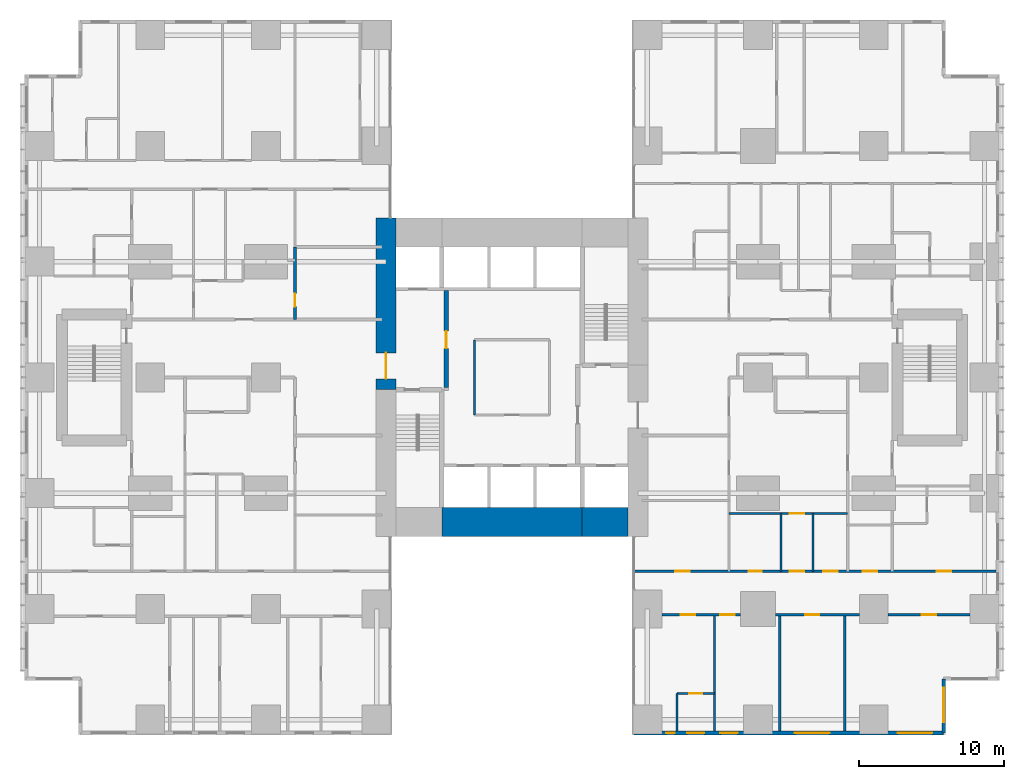
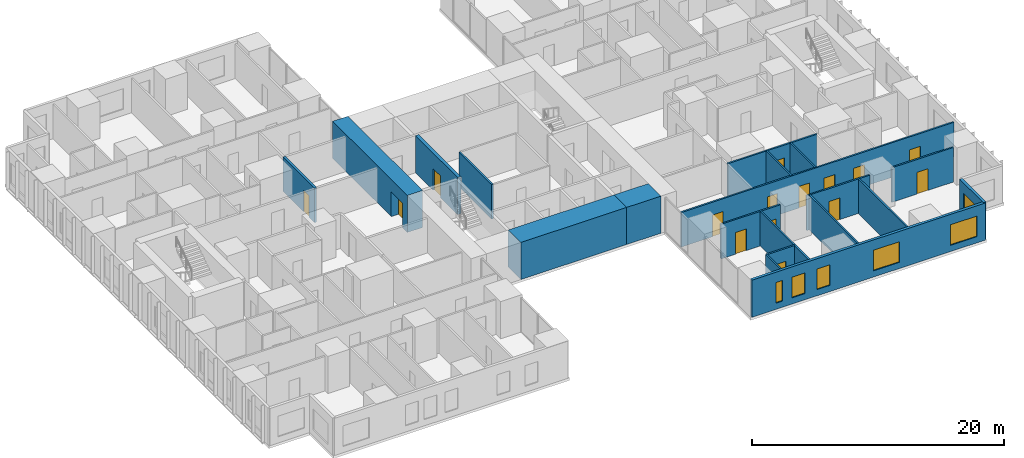
# One storey, part 14 of 20: 20 walls, 15 doors, 6 windows, 21 openings.
"""IFC4 building model written with IfcOpenShell, lengths in metres."""

import ifcopenshell
import ifcopenshell.guid

model = None  # the IFC model being written
_history = None  # IfcOwnerHistory: only IFC2X3 demands one
_inside = {}  # id of a spatial element -> (the spatial element, [elements in it])
_under = {}  # id of a project, library or spatial element -> (it, [spatial elements below it])
_declared = {}  # id of a project -> (the project, [libraries it declares])
_typed = {}  # id of a type object -> (the type object, [elements of that type])
_made_of = {}  # id of a material, layer set ... -> (it, [elements and type objects made of it])


def new_model(schema):
    """Start an empty IFC model of exactly this schema.

    Asked for "IFC4X3", IfcOpenShell would pick the latest addendum, in which some entities
    have other attributes; the version numbers below select the first issue.
    IFC2X3 requires an IfcOwnerHistory on every rooted entity: one is made here for all.
    """
    global model, _history
    if schema == "IFC4X3":
        model = ifcopenshell.file(schema_version=(4, 3, 0, 0))
    else:
        model = ifcopenshell.file(schema=schema)
    _inside.clear()
    _under.clear()
    _declared.clear()
    _typed.clear()
    _made_of.clear()
    _history = None
    if model.schema == "IFC2X3":
        org = make("IfcOrganization", Name="unknown")
        user = make(
            "IfcPersonAndOrganization",
            ThePerson=make("IfcPerson", FamilyName="unknown"),
            TheOrganization=org,
        )
        app = make(
            "IfcApplication",
            ApplicationDeveloper=org,
            Version="unknown",
            ApplicationFullName="unknown",
            ApplicationIdentifier="unknown",
        )
        _history = make(
            "IfcOwnerHistory",
            OwningUser=user,
            OwningApplication=app,
            ChangeAction="ADDED",
            CreationDate=0,
        )
    return model


def make(cls, **values):
    """One entity of the class cls with the attributes given. An attribute that is None is left unset."""
    return model.create_entity(
        cls, **{name: value for name, value in values.items() if value is not None}
    )


def rooted(cls, **values):
    """An entity with a GlobalId (a new one), such as an element, a storey or a relation."""
    return make(cls, GlobalId=ifcopenshell.guid.new(), OwnerHistory=_history, **values)


def si_unit(unit_type, name, prefix=None):
    """IfcSIUnit, for example si_unit("LENGTHUNIT", "METRE", prefix="MILLI")."""
    return make("IfcSIUnit", UnitType=unit_type, Prefix=prefix, Name=name)


def assignment(units):
    """IfcUnitAssignment: the units of a project."""
    return None if units is None else make("IfcUnitAssignment", Units=units)


def point(xyz):
    """IfcCartesianPoint."""
    return None if xyz is None else make("IfcCartesianPoint", Coordinates=xyz)


def direction(xyz):
    """IfcDirection."""
    return None if xyz is None else make("IfcDirection", DirectionRatios=xyz)


def frame(location, z_axis=None, x_axis=None):
    """IfcAxis2Placement3D, a coordinate frame: its origin and axes. An axis left out is left unset."""
    return make(
        "IfcAxis2Placement3D",
        Location=point(location),
        Axis=direction(z_axis),
        RefDirection=direction(x_axis),
    )


def frame_2d(location, x_axis=None):
    """IfcAxis2Placement2D, a coordinate frame in the plane: its origin and x axis."""
    return make(
        "IfcAxis2Placement2D", Location=point(location), RefDirection=direction(x_axis)
    )


def origin():
    """The frame at (0, 0, 0) with its axes left unset."""
    return frame((0.0, 0.0, 0.0))


def place(relative_to, where):
    """IfcLocalPlacement: puts the frame where relative to a parent placement (None: the world)."""
    return make(
        "IfcLocalPlacement", PlacementRelTo=relative_to, RelativePlacement=where
    )


def context(
    kind, dimensions, precision=None, world=None, true_north=None, identifier=None
):
    """IfcGeometricRepresentationContext, for example the 3D "Model" context."""
    return make(
        "IfcGeometricRepresentationContext",
        ContextIdentifier=identifier,
        ContextType=kind,
        CoordinateSpaceDimension=dimensions,
        Precision=precision,
        WorldCoordinateSystem=world,
        TrueNorth=true_north,
    )


def subcontext(parent, identifier, kind, view, scale=None):
    """IfcGeometricRepresentationSubContext, for example "Body" below "Model"."""
    return make(
        "IfcGeometricRepresentationSubContext",
        ContextIdentifier=identifier,
        ContextType=kind,
        ParentContext=parent,
        TargetScale=scale,
        TargetView=view,
    )


def project(units=None, contexts=None):
    """IfcProject with its units and contexts."""
    return rooted(
        "IfcProject",
        Name="project",
        RepresentationContexts=contexts,
        UnitsInContext=assignment(units),
    )


def spatial(cls, under=None, at=None, **own):
    """A site, building, storey or space (cls), placed at a placement, below another one or the project."""
    s = rooted(cls, ObjectPlacement=at, **own)
    if under is not None:
        _under.setdefault(under.id(), (under, []))[1].append(s)
    return s


def profile(cls, at=None, kind="AREA", **sizes):
    """A parametric profile (cls). Its sizes go by their IFC names, for example OverallWidth=200.0."""
    return make(cls, ProfileType=kind, Position=at, **sizes)


def rectangle(**sizes):
    """IfcRectangleProfileDef."""
    return profile("IfcRectangleProfileDef", **sizes)


def extrude(swept, where, along, depth):
    """IfcExtrudedAreaSolid: the profile swept, set in the frame where, extruded along a direction by depth."""
    return make(
        "IfcExtrudedAreaSolid",
        SweptArea=swept,
        Position=where,
        ExtrudedDirection=direction(along),
        Depth=depth,
    )


def shape(context_of_items, identifier, shape_type, items):
    """IfcShapeRepresentation: the items that make up one representation, for example the "Body"."""
    return make(
        "IfcShapeRepresentation",
        ContextOfItems=context_of_items,
        RepresentationIdentifier=identifier,
        RepresentationType=shape_type,
        Items=items,
    )


def material(Name=None, Category=None):
    """IfcMaterial."""
    return make("IfcMaterial", Name=Name, Category=Category)


def layer(
    of_material, thickness, ventilated=None, Name=None, Category=None, Priority=None
):
    """IfcMaterialLayer: one layer of a wall or slab, of a material (None: an air gap)."""
    return make(
        "IfcMaterialLayer",
        Material=of_material,
        LayerThickness=thickness,
        IsVentilated=ventilated,
        Name=Name,
        Category=Category,
        Priority=Priority,
    )


def layer_set(layers, Name=None):
    """IfcMaterialLayerSet."""
    return make("IfcMaterialLayerSet", MaterialLayers=layers, LayerSetName=Name)


def made_of(thing, what):
    """Note that an element or type object is made of a material, layer set ...; save() writes the relation."""
    if what is not None:
        _made_of.setdefault(what.id(), (what, []))[1].append(thing)
    return thing


def type_object(cls, material=None, **own):
    """A type object (cls), such as IfcWallType, which elements share."""
    return made_of(rooted(cls, **own), material)


def element(
    cls,
    number,
    at=None,
    inside=None,
    cuts=None,
    type_object=None,
    material=None,
    context=None,
    identifier="Body",
    shape_type=None,
    held_by="IfcProductDefinitionShape",
    body=None,
    shapes=None,
    **own,
):
    """One element of the class cls, such as IfcWall. Its Tag is "e" and its number.

    at: its placement. inside: the storey or other place that contains it. cuts: it is an
    opening in that element (IfcRelVoidsElement). A single representation is given by context,
    identifier, shape_type and body (its items); several are given by shapes. held_by: the class
    of the entity that holds the representations. save() writes the other relations.
    """
    e = rooted(cls, Tag="e%d" % number, ObjectPlacement=at, **own)
    if body is not None:
        shapes = [shape(context, identifier, shape_type, body)]
    if shapes is not None:
        e.Representation = make(held_by, Representations=shapes)
    if inside is not None:
        _inside.setdefault(inside.id(), (inside, []))[1].append(e)
    if cuts is not None:
        rooted(
            "IfcRelVoidsElement", RelatingBuildingElement=cuts, RelatedOpeningElement=e
        )
    if type_object is not None:
        _typed.setdefault(type_object.id(), (type_object, []))[1].append(e)
    return made_of(e, material)


def fill(opening, filler):
    """IfcRelFillsElement: the door or window that sits in an opening."""
    return rooted(
        "IfcRelFillsElement",
        RelatingOpeningElement=opening,
        RelatedBuildingElement=filler,
    )


def aggregate(whole, parts):
    """IfcRelAggregates: a whole, such as a stair, and the parts it consists of."""
    return rooted("IfcRelAggregates", RelatingObject=whole, RelatedObjects=parts)


def save(model, path):
    """Write the relations noted so far, then the file.

    IfcRelAggregates (storeys below a building ...), IfcRelContainedInSpatialStructure (elements
    in a storey), IfcRelDefinesByType, IfcRelAssociatesMaterial and IfcRelDeclares: one each for
    every whole, place, type object, material and project.
    """
    for whole, parts in _under.values():
        aggregate(whole, parts)
    for where, things in _inside.values():
        rooted(
            "IfcRelContainedInSpatialStructure",
            RelatedElements=things,
            RelatingStructure=where,
        )
    for kind, things in _typed.values():
        rooted("IfcRelDefinesByType", RelatedObjects=things, RelatingType=kind)
    for what, things in _made_of.values():
        rooted("IfcRelAssociatesMaterial", RelatedObjects=things, RelatingMaterial=what)
    for by, libraries in _declared.values():
        rooted("IfcRelDeclares", RelatingContext=by, RelatedDefinitions=libraries)
    model.write(path)


model = new_model("IFC4")

# Units and contexts
model_context = context("Model", 3, precision=1e-05, world=origin(), true_north=direction((0.0, 1.0)))
body_context = subcontext(model_context, "Body", "Model", "MODEL_VIEW")
ifc_project = project(units=[si_unit("LENGTHUNIT", "METRE"), si_unit("AREAUNIT", "SQUARE_METRE"), si_unit("VOLUMEUNIT", "CUBIC_METRE"), si_unit("PLANEANGLEUNIT", "RADIAN"), si_unit("MASSUNIT", "GRAM", prefix="KILO")], contexts=[model_context])

# Site, building, storey
site_placement = place(None, origin())
site = spatial("IfcSite", under=ifc_project, at=site_placement, CompositionType="ELEMENT")
building_placement = place(site_placement, origin())
building = spatial("IfcBuilding", under=site, at=building_placement, Name="Cleftline Residences", CompositionType="ELEMENT")
storey_placement = place(building_placement, frame((0.0, 0.0, 33.199951171875)))
storey = spatial("IfcBuildingStorey", under=building, at=storey_placement, Name="L07", CompositionType="ELEMENT", Elevation=33.199951171875)

# Wall, opening, door
ifc_material_1 = material(Name="Concrete B70", Category="concrete")
ifc_layer_1 = layer(ifc_material_1, 1.39990234375)
ifc_layer_set_1 = layer_set([ifc_layer_1], Name="CORE WALL 1400")
wall_type_1 = type_object("IfcWallType", Name="CORE WALL 1400", PredefinedType="SHEAR", material=ifc_layer_set_1)
wall_1_placement = place(storey_placement, frame((24.300048828125, 23.14990234375, 0.0), z_axis=(0.0, 0.0, 1.0), x_axis=(0.0, 1.0, 0.0)))
wall_1 = element("IfcWall", 1, at=wall_1_placement, inside=storey, type_object=wall_type_1, Name="Core wall W", PredefinedType="SHEAR", context=body_context, shape_type="SweptSolid", body=[
    extrude(rectangle(XDim=11.85009765625, YDim=1.39990234375, at=frame_2d((5.925048828125, 0.0))), origin(), (0.0, 0.0, 1.0), 3.60009765625),
])
opening_1_placement = place(wall_1_placement, frame((0.75, 0.0, 0.0)))
opening_1 = element("IfcOpeningElement", 2, at=opening_1_placement, cuts=wall_1, Name="Opening D7", PredefinedType="OPENING", context=body_context, shape_type="SweptSolid", body=[
    extrude(rectangle(XDim=1.800048828125, YDim=2.39990234375, at=frame_2d((0.89990234375, 1.199951171875))), frame((0.0, 0.7099609375, 0.0), z_axis=(0.0, -1.0, 0.0), x_axis=(1.0, 0.0, 0.0)), (0.0, 0.0, 1.0), 1.419921875),
])
ifc_material_2 = material(Name="Steel", Category="steel")
door_type_1 = type_object("IfcDoorType", Name="WING DOOR 1800X2400", OperationType="DOUBLE_DOOR_DOUBLE_SWING", PredefinedType="DOOR", material=ifc_material_2)
door_1_placement = place(opening_1_placement, origin())
door_1 = element("IfcDoor", 3, at=door_1_placement, inside=storey, type_object=door_type_1, Name="West wing door", OperationType="DOUBLE_DOOR_DOUBLE_SWING", OverallHeight=2.39990234375, OverallWidth=1.800048828125, PredefinedType="DOOR", context=body_context, shape_type="SweptSolid", body=[
    extrude(rectangle(XDim=1.800048828125, YDim=2.39990234375, at=frame_2d((0.89990234375, 1.199951171875))), frame((0.0, 0.02490234375, 0.0), z_axis=(0.0, -1.0, 0.0), x_axis=(1.0, 0.0, 0.0)), (0.0, 0.0, 1.0), 0.050048828125),
])
fill(opening_1, door_1)

# Walls
ifc_material_3 = material(Name="Concrete B70", Category="concrete")
ifc_layer_2 = layer(ifc_material_3, 2.0)
ifc_layer_set_2 = layer_set([ifc_layer_2], Name="CORE WALL 2000")
wall_type_2 = type_object("IfcWallType", Name="CORE WALL 2000", PredefinedType="SHEAR", material=ifc_layer_set_2)
wall_2_placement = place(storey_placement, frame((28.14990234375, 14.0, 0.0), z_axis=(0.0, 0.0, 1.0), x_axis=(1.0, 0.0, 0.0)))
element("IfcWall", 4, at=wall_2_placement, inside=storey, type_object=wall_type_2, Name="Core wall S2", PredefinedType="SHEAR", context=body_context, shape_type="SweptSolid", body=[
    extrude(rectangle(XDim=9.7001953125, YDim=2.0, at=frame_2d((4.85009765625, 0.0))), origin(), (0.0, 0.0, 1.0), 3.60009765625),
])
wall_3_placement = place(storey_placement, frame((37.85009765625, 14.0, 0.0), z_axis=(0.0, 0.0, 1.0), x_axis=(1.0, 0.0, 0.0)))
element("IfcWall", 5, at=wall_3_placement, inside=storey, type_object=wall_type_2, Name="Core wall S3", PredefinedType="SHEAR", context=body_context, shape_type="SweptSolid", body=[
    extrude(rectangle(XDim=3.14990234375, YDim=2.0, at=frame_2d((1.574951171875, 0.0))), origin(), (0.0, 0.0, 1.0), 3.60009765625),
])

# Wall, openings, windows
ifc_material_4 = material(Name="Rendered reinforced concrete blockwork", Category="masonry")
ifc_layer_3 = layer(ifc_material_4, 0.25)
ifc_layer_set_3 = layer_set([ifc_layer_3], Name="EXTERNAL WALL 250")
wall_type_3 = type_object("IfcWallType", Name="EXTERNAL WALL 250", PredefinedType="SOLIDWALL", material=ifc_layer_set_3)
wall_4_placement = place(storey_placement, frame((41.425048828125, -0.574951171875, 0.0), z_axis=(0.0, 0.0, 1.0), x_axis=(1.0, 0.0, 0.0)))
wall_4 = element("IfcWall", 6, at=wall_4_placement, inside=storey, type_object=wall_type_3, Name="External wall", PredefinedType="SOLIDWALL", context=body_context, shape_type="SweptSolid", body=[
    extrude(rectangle(XDim=21.39990234375, YDim=0.25, at=frame_2d((10.699951171875, 0.0))), origin(), (0.0, 0.0, 1.0), 3.60009765625),
])
opening_2_placement = place(wall_4_placement, frame((2.22509765625, 0.0, 0.60009765625)))
opening_2 = element("IfcOpeningElement", 7, at=opening_2_placement, cuts=wall_4, Name="Opening W7", PredefinedType="OPENING", context=body_context, shape_type="SweptSolid", body=[
    extrude(rectangle(XDim=0.60009765625, YDim=2.0, at=frame_2d((0.300048828125, 1.0))), frame((0.0, 0.135009765625, 0.0), z_axis=(0.0, -1.0, 0.0), x_axis=(1.0, 0.0, 0.0)), (0.0, 0.0, 1.0), 0.27001953125),
])
opening_3_placement = place(wall_4_placement, frame((3.675048828125, 0.0, 0.60009765625)))
opening_3 = element("IfcOpeningElement", 8, at=opening_3_placement, cuts=wall_4, Name="Opening W8", PredefinedType="OPENING", context=body_context, shape_type="SweptSolid", body=[
    extrude(rectangle(XDim=1.199951171875, YDim=2.0, at=frame_2d((0.60009765625, 1.0))), frame((0.0, 0.135009765625, 0.0), z_axis=(0.0, -1.0, 0.0), x_axis=(1.0, 0.0, 0.0)), (0.0, 0.0, 1.0), 0.27001953125),
])
opening_4_placement = place(wall_4_placement, frame((5.97509765625, 0.0, 0.60009765625)))
opening_4 = element("IfcOpeningElement", 9, at=opening_4_placement, cuts=wall_4, Name="Opening W8", PredefinedType="OPENING", context=body_context, shape_type="SweptSolid", body=[
    extrude(rectangle(XDim=1.199951171875, YDim=2.0, at=frame_2d((0.60009765625, 1.0))), frame((0.0, 0.135009765625, 0.0), z_axis=(0.0, -1.0, 0.0), x_axis=(1.0, 0.0, 0.0)), (0.0, 0.0, 1.0), 0.27001953125),
])
opening_5_placement = place(wall_4_placement, frame((11.125, 0.0, 0.60009765625)))
opening_5 = element("IfcOpeningElement", 10, at=opening_5_placement, cuts=wall_4, Name="Opening W6", PredefinedType="OPENING", context=body_context, shape_type="SweptSolid", body=[
    extrude(rectangle(XDim=2.39990234375, YDim=2.0, at=frame_2d((1.199951171875, 1.0))), frame((0.0, 0.135009765625, 0.0), z_axis=(0.0, -1.0, 0.0), x_axis=(1.0, 0.0, 0.0)), (0.0, 0.0, 1.0), 0.27001953125),
])
opening_6_placement = place(wall_4_placement, frame((18.22509765625, 0.0, 0.60009765625)))
opening_6 = element("IfcOpeningElement", 11, at=opening_6_placement, cuts=wall_4, Name="Opening W6", PredefinedType="OPENING", context=body_context, shape_type="SweptSolid", body=[
    extrude(rectangle(XDim=2.39990234375, YDim=2.0, at=frame_2d((1.199951171875, 1.0))), frame((0.0, 0.135009765625, 0.0), z_axis=(0.0, -1.0, 0.0), x_axis=(1.0, 0.0, 0.0)), (0.0, 0.0, 1.0), 0.27001953125),
])
ifc_material_5 = material(Name="Aluminium frame, clear double glazing", Category="aluminium")
window_type_1 = type_object("IfcWindowType", Name="WINDOW 1200X2000", PartitioningType="DOUBLE_PANEL_VERTICAL", PredefinedType="WINDOW", material=ifc_material_5)
window_1_placement = place(opening_3_placement, origin())
window_1 = element("IfcWindow", 12, at=window_1_placement, inside=storey, type_object=window_type_1, Name="Window", OverallHeight=2.0, OverallWidth=1.199951171875, PartitioningType="SINGLE_PANEL", PredefinedType="WINDOW", context=body_context, shape_type="SweptSolid", body=[
    extrude(rectangle(XDim=1.199951171875, YDim=2.0, at=frame_2d((0.60009765625, 1.0))), frame((0.0, 0.030029296875, 0.0), z_axis=(0.0, -1.0, 0.0), x_axis=(1.0, 0.0, 0.0)), (0.0, 0.0, 1.0), 0.06005859375),
])
fill(opening_3, window_1)
window_2_placement = place(opening_4_placement, origin())
window_2 = element("IfcWindow", 13, at=window_2_placement, inside=storey, type_object=window_type_1, Name="Window", OverallHeight=2.0, OverallWidth=1.199951171875, PartitioningType="SINGLE_PANEL", PredefinedType="WINDOW", context=body_context, shape_type="SweptSolid", body=[
    extrude(rectangle(XDim=1.199951171875, YDim=2.0, at=frame_2d((0.60009765625, 1.0))), frame((0.0, 0.030029296875, 0.0), z_axis=(0.0, -1.0, 0.0), x_axis=(1.0, 0.0, 0.0)), (0.0, 0.0, 1.0), 0.06005859375),
])
fill(opening_4, window_2)
ifc_material_6 = material(Name="Aluminium frame, clear double glazing", Category="aluminium")
window_type_2 = type_object("IfcWindowType", Name="WINDOW 2400X2000", PartitioningType="DOUBLE_PANEL_VERTICAL", PredefinedType="WINDOW", material=ifc_material_6)
window_3_placement = place(opening_5_placement, origin())
window_3 = element("IfcWindow", 14, at=window_3_placement, inside=storey, type_object=window_type_2, Name="Window", OverallHeight=2.0, OverallWidth=2.39990234375, PartitioningType="SINGLE_PANEL", PredefinedType="WINDOW", context=body_context, shape_type="SweptSolid", body=[
    extrude(rectangle(XDim=2.39990234375, YDim=2.0, at=frame_2d((1.199951171875, 1.0))), frame((0.0, 0.030029296875, 0.0), z_axis=(0.0, -1.0, 0.0), x_axis=(1.0, 0.0, 0.0)), (0.0, 0.0, 1.0), 0.06005859375),
])
fill(opening_5, window_3)
window_4_placement = place(opening_6_placement, origin())
window_4 = element("IfcWindow", 15, at=window_4_placement, inside=storey, type_object=window_type_2, Name="Window", OverallHeight=2.0, OverallWidth=2.39990234375, PartitioningType="SINGLE_PANEL", PredefinedType="WINDOW", context=body_context, shape_type="SweptSolid", body=[
    extrude(rectangle(XDim=2.39990234375, YDim=2.0, at=frame_2d((1.199951171875, 1.0))), frame((0.0, 0.030029296875, 0.0), z_axis=(0.0, -1.0, 0.0), x_axis=(1.0, 0.0, 0.0)), (0.0, 0.0, 1.0), 0.06005859375),
])
fill(opening_6, window_4)
ifc_material_7 = material(Name="Aluminium frame, clear double glazing", Category="aluminium")
window_type_3 = type_object("IfcWindowType", Name="WINDOW 600X2000", PartitioningType="DOUBLE_PANEL_VERTICAL", PredefinedType="WINDOW", material=ifc_material_7)
window_5_placement = place(opening_2_placement, origin())
window_5 = element("IfcWindow", 16, at=window_5_placement, inside=storey, type_object=window_type_3, Name="Window", OverallHeight=2.0, OverallWidth=0.60009765625, PartitioningType="SINGLE_PANEL", PredefinedType="WINDOW", context=body_context, shape_type="SweptSolid", body=[
    extrude(rectangle(XDim=0.60009765625, YDim=2.0, at=frame_2d((0.300048828125, 1.0))), frame((0.0, 0.030029296875, 0.0), z_axis=(0.0, -1.0, 0.0), x_axis=(1.0, 0.0, 0.0)), (0.0, 0.0, 1.0), 0.06005859375),
])
fill(opening_2, window_5)

# Wall, opening, window
wall_5_placement = place(storey_placement, frame((62.824951171875, -0.574951171875, 0.0), z_axis=(0.0, 0.0, 1.0), x_axis=(0.0, 1.0, 0.0)))
wall_5 = element("IfcWall", 17, at=wall_5_placement, inside=storey, type_object=wall_type_3, Name="External wall", PredefinedType="SOLIDWALL", context=body_context, shape_type="SweptSolid", body=[
    extrude(rectangle(XDim=3.75, YDim=0.25, at=frame_2d((1.875, 0.0))), origin(), (0.0, 0.0, 1.0), 3.60009765625),
])
opening_7_placement = place(wall_5_placement, frame((0.737548828125, 0.0, 0.60009765625)))
opening_7 = element("IfcOpeningElement", 18, at=opening_7_placement, cuts=wall_5, Name="Opening W6", PredefinedType="OPENING", context=body_context, shape_type="SweptSolid", body=[
    extrude(rectangle(XDim=2.39990234375, YDim=2.0, at=frame_2d((1.199951171875, 1.0))), frame((0.0, 0.135009765625, 0.0), z_axis=(0.0, -1.0, 0.0), x_axis=(1.0, 0.0, 0.0)), (0.0, 0.0, 1.0), 0.27001953125),
])
window_6_placement = place(opening_7_placement, origin())
window_6 = element("IfcWindow", 19, at=window_6_placement, inside=storey, type_object=window_type_2, Name="Window", OverallHeight=2.0, OverallWidth=2.39990234375, PartitioningType="SINGLE_PANEL", PredefinedType="WINDOW", context=body_context, shape_type="SweptSolid", body=[
    extrude(rectangle(XDim=2.39990234375, YDim=2.0, at=frame_2d((1.199951171875, 1.0))), frame((0.0, 0.030029296875, 0.0), z_axis=(0.0, -1.0, 0.0), x_axis=(1.0, 0.0, 0.0)), (0.0, 0.0, 1.0), 0.06005859375),
])
fill(opening_7, window_6)

# Wall, opening, door
ifc_material_8 = material(Name="Concrete blockwork, fire rated", Category="masonry")
ifc_layer_4 = layer(ifc_material_8, 0.199951171875)
ifc_layer_set_4 = layer_set([ifc_layer_4], Name="FIRE WALL 200")
wall_type_4 = type_object("IfcWallType", Name="FIRE WALL 200", PredefinedType="PARTITIONING", material=ifc_layer_set_4)
wall_6_placement = place(storey_placement, frame((18.0, 28.0, 0.0), z_axis=(0.0, 0.0, 1.0), x_axis=(0.0, 1.0, 0.0)))
wall_6 = element("IfcWall", 20, at=wall_6_placement, inside=storey, type_object=wall_type_4, Name="Fire separating wall", PredefinedType="PARTITIONING", context=body_context, shape_type="SweptSolid", body=[
    extrude(rectangle(XDim=5.0, YDim=0.199951171875, at=frame_2d((2.5, 0.0))), origin(), (0.0, 0.0, 1.0), 3.35009765625),
])
opening_8_placement = place(wall_6_placement, frame((0.887451171875, 0.0, 0.0)))
opening_8 = element("IfcOpeningElement", 21, at=opening_8_placement, cuts=wall_6, Name="Opening D1F30", PredefinedType="OPENING", context=body_context, shape_type="SweptSolid", body=[
    extrude(rectangle(XDim=0.89990234375, YDim=2.10009765625, at=frame_2d((0.449951171875, 1.050048828125))), frame((0.0, 0.10986328125, 0.0), z_axis=(0.0, -1.0, 0.0), x_axis=(1.0, 0.0, 0.0)), (0.0, 0.0, 1.0), 0.219970703125),
])
ifc_material_9 = material(Name="Timber veneer on solid core", Category="wood")
door_type_2 = type_object("IfcDoorType", Name="DOOR 900X2100 EI 30", OperationType="SINGLE_SWING_LEFT", PredefinedType="DOOR", material=ifc_material_9)
door_2_placement = place(opening_8_placement, origin())
door_2 = element("IfcDoor", 22, at=door_2_placement, inside=storey, type_object=door_type_2, Name="Door to utility room and wc", OperationType="SINGLE_SWING_RIGHT", OverallHeight=2.10009765625, OverallWidth=0.89990234375, PredefinedType="DOOR", context=body_context, shape_type="SweptSolid", body=[
    extrude(rectangle(XDim=0.89990234375, YDim=2.10009765625, at=frame_2d((0.449951171875, 1.050048828125))), frame((0.0, 0.02490234375, 0.0), z_axis=(0.0, -1.0, 0.0), x_axis=(1.0, 0.0, 0.0)), (0.0, 0.0, 1.0), 0.050048828125),
])
fill(opening_8, door_2)

ifc_material_10 = material(Name="Gypsum board on steel studs", Category="steel")
ifc_layer_5 = layer(ifc_material_10, 0.14990234375)
ifc_layer_set_5 = layer_set([ifc_layer_5], Name="PARTITION 150")
wall_type_5 = type_object("IfcWallType", Name="PARTITION 150", PredefinedType="PARTITIONING", material=ifc_layer_set_5)
wall_7_placement = place(storey_placement, frame((44.39990234375, 2.14990234375, 0.0), z_axis=(0.0, 0.0, 1.0), x_axis=(1.0, 0.0, 0.0)))
wall_7 = element("IfcWall", 23, at=wall_7_placement, inside=storey, type_object=wall_type_5, Name="Partition", PredefinedType="PARTITIONING", context=body_context, shape_type="SweptSolid", body=[
    extrude(rectangle(XDim=2.60009765625, YDim=0.14990234375, at=frame_2d((1.300048828125, 0.0))), origin(), (0.0, 0.0, 1.0), 3.35009765625),
])
opening_9_placement = place(wall_7_placement, frame((0.85009765625, 0.0, 0.0)))
opening_9 = element("IfcOpeningElement", 24, at=opening_9_placement, cuts=wall_7, Name="Opening D1", PredefinedType="OPENING", context=body_context, shape_type="SweptSolid", body=[
    extrude(rectangle(XDim=0.89990234375, YDim=2.10009765625, at=frame_2d((0.449951171875, 1.050048828125))), frame((0.0, 0.0849609375, 0.0), z_axis=(0.0, -1.0, 0.0), x_axis=(1.0, 0.0, 0.0)), (0.0, 0.0, 1.0), 0.169921875),
])
ifc_material_11 = material(Name="Timber veneer on solid core", Category="wood")
door_type_3 = type_object("IfcDoorType", Name="DOOR 900X2100", OperationType="SINGLE_SWING_LEFT", PredefinedType="DOOR", material=ifc_material_11)
door_3_placement = place(opening_9_placement, origin())
door_3 = element("IfcDoor", 25, at=door_3_placement, inside=storey, type_object=door_type_3, Name="Door to en-suite bathroom 3", OperationType="SINGLE_SWING_LEFT", OverallHeight=2.10009765625, OverallWidth=0.89990234375, PredefinedType="DOOR", context=body_context, shape_type="SweptSolid", body=[
    extrude(rectangle(XDim=0.89990234375, YDim=2.10009765625, at=frame_2d((0.449951171875, 1.050048828125))), frame((0.0, 0.02490234375, 0.0), z_axis=(0.0, -1.0, 0.0), x_axis=(1.0, 0.0, 0.0)), (0.0, 0.0, 1.0), 0.050048828125),
])
fill(opening_9, door_3)

# Wall, openings, doors
wall_8_placement = place(storey_placement, frame((43.35009765625, 7.60009765625, 0.0), z_axis=(0.0, 0.0, 1.0), x_axis=(1.0, 0.0, 0.0)))
wall_8 = element("IfcWall", 26, at=wall_8_placement, inside=storey, type_object=wall_type_5, Name="Partition", PredefinedType="PARTITIONING", context=body_context, shape_type="SweptSolid", body=[
    extrude(rectangle(XDim=5.449951171875, YDim=0.14990234375, at=frame_2d((2.72509765625, 0.0))), origin(), (0.0, 0.0, 1.0), 3.35009765625),
])
opening_10_placement = place(wall_8_placement, frame((4.050048828125, 0.0, 0.0)))
opening_10 = element("IfcOpeningElement", 27, at=opening_10_placement, cuts=wall_8, Name="Opening D2", PredefinedType="OPENING", context=body_context, shape_type="SweptSolid", body=[
    extrude(rectangle(XDim=1.0, YDim=2.10009765625, at=frame_2d((0.5, 1.050048828125))), frame((0.0, 0.0849609375, 0.0), z_axis=(0.0, -1.0, 0.0), x_axis=(1.0, 0.0, 0.0)), (0.0, 0.0, 1.0), 0.169921875),
])
opening_11_placement = place(wall_8_placement, frame((1.324951171875, 0.0, 0.0)))
opening_11 = element("IfcOpeningElement", 28, at=opening_11_placement, cuts=wall_8, Name="Opening D2", PredefinedType="OPENING", context=body_context, shape_type="SweptSolid", body=[
    extrude(rectangle(XDim=1.0, YDim=2.10009765625, at=frame_2d((0.5, 1.050048828125))), frame((0.0, 0.0849609375, 0.0), z_axis=(0.0, -1.0, 0.0), x_axis=(1.0, 0.0, 0.0)), (0.0, 0.0, 1.0), 0.169921875),
])
ifc_material_12 = material(Name="Timber veneer on solid core", Category="wood")
door_type_4 = type_object("IfcDoorType", Name="DOOR 1000X2100", OperationType="SINGLE_SWING_LEFT", PredefinedType="DOOR", material=ifc_material_12)
door_4_placement = place(opening_10_placement, origin())
door_4 = element("IfcDoor", 29, at=door_4_placement, inside=storey, type_object=door_type_4, Name="Door to show kitchen", OperationType="SINGLE_SWING_LEFT", OverallHeight=2.10009765625, OverallWidth=1.0, PredefinedType="DOOR", context=body_context, shape_type="SweptSolid", body=[
    extrude(rectangle(XDim=1.0, YDim=2.10009765625, at=frame_2d((0.5, 1.050048828125))), frame((0.0, 0.02490234375, 0.0), z_axis=(0.0, -1.0, 0.0), x_axis=(1.0, 0.0, 0.0)), (0.0, 0.0, 1.0), 0.050048828125),
])
fill(opening_10, door_4)
door_5_placement = place(opening_11_placement, origin())
door_5 = element("IfcDoor", 30, at=door_5_placement, inside=storey, type_object=door_type_4, Name="Door to bedroom 3", OperationType="SINGLE_SWING_RIGHT", OverallHeight=2.10009765625, OverallWidth=1.0, PredefinedType="DOOR", context=body_context, shape_type="SweptSolid", body=[
    extrude(rectangle(XDim=1.0, YDim=2.10009765625, at=frame_2d((0.5, 1.050048828125))), frame((0.0, 0.02490234375, 0.0), z_axis=(0.0, -1.0, 0.0), x_axis=(1.0, 0.0, 0.0)), (0.0, 0.0, 1.0), 0.050048828125),
])
fill(opening_11, door_5)

# Wall, opening, door
wall_9_placement = place(storey_placement, frame((51.199951171875, 7.60009765625, 0.0), z_axis=(0.0, 0.0, 1.0), x_axis=(1.0, 0.0, 0.0)))
wall_9 = element("IfcWall", 31, at=wall_9_placement, inside=storey, type_object=wall_type_5, Name="Partition", PredefinedType="PARTITIONING", context=body_context, shape_type="SweptSolid", body=[
    extrude(rectangle(XDim=5.800048828125, YDim=0.14990234375, at=frame_2d((2.89990234375, 0.0))), origin(), (0.0, 0.0, 1.0), 3.35009765625),
])
opening_12_placement = place(wall_9_placement, frame((2.050048828125, 0.0, 0.0)))
opening_12 = element("IfcOpeningElement", 32, at=opening_12_placement, cuts=wall_9, Name="Opening D2", PredefinedType="OPENING", context=body_context, shape_type="SweptSolid", body=[
    extrude(rectangle(XDim=1.0, YDim=2.10009765625, at=frame_2d((0.5, 1.050048828125))), frame((0.0, 0.0849609375, 0.0), z_axis=(0.0, -1.0, 0.0), x_axis=(1.0, 0.0, 0.0)), (0.0, 0.0, 1.0), 0.169921875),
])
door_6_placement = place(opening_12_placement, origin())
door_6 = element("IfcDoor", 33, at=door_6_placement, inside=storey, type_object=door_type_4, Name="Door to dining room", OperationType="SINGLE_SWING_RIGHT", OverallHeight=2.10009765625, OverallWidth=1.0, PredefinedType="DOOR", context=body_context, shape_type="SweptSolid", body=[
    extrude(rectangle(XDim=1.0, YDim=2.10009765625, at=frame_2d((0.5, 1.050048828125))), frame((0.0, 0.02490234375, 0.0), z_axis=(0.0, -1.0, 0.0), x_axis=(1.0, 0.0, 0.0)), (0.0, 0.0, 1.0), 0.050048828125),
])
fill(opening_12, door_6)

wall_10_placement = place(storey_placement, frame((59.0, 7.60009765625, 0.0), z_axis=(0.0, 0.0, 1.0), x_axis=(1.0, 0.0, 0.0)))
wall_10 = element("IfcWall", 34, at=wall_10_placement, inside=storey, type_object=wall_type_5, Name="Partition", PredefinedType="PARTITIONING", context=body_context, shape_type="SweptSolid", body=[
    extrude(rectangle(XDim=5.64990234375, YDim=0.14990234375, at=frame_2d((2.824951171875, 0.0))), origin(), (0.0, 0.0, 1.0), 3.35009765625),
])
opening_13_placement = place(wall_10_placement, frame((2.324951171875, 0.0, 0.0)))
opening_13 = element("IfcOpeningElement", 35, at=opening_13_placement, cuts=wall_10, Name="Opening D2", PredefinedType="OPENING", context=body_context, shape_type="SweptSolid", body=[
    extrude(rectangle(XDim=1.0, YDim=2.10009765625, at=frame_2d((0.5, 1.050048828125))), frame((0.0, 0.0849609375, 0.0), z_axis=(0.0, -1.0, 0.0), x_axis=(1.0, 0.0, 0.0)), (0.0, 0.0, 1.0), 0.169921875),
])
door_7_placement = place(opening_13_placement, origin())
door_7 = element("IfcDoor", 36, at=door_7_placement, inside=storey, type_object=door_type_4, Name="Door to sea-view lounge", OperationType="SINGLE_SWING_LEFT", OverallHeight=2.10009765625, OverallWidth=1.0, PredefinedType="DOOR", context=body_context, shape_type="SweptSolid", body=[
    extrude(rectangle(XDim=1.0, YDim=2.10009765625, at=frame_2d((0.5, 1.050048828125))), frame((0.0, 0.02490234375, 0.0), z_axis=(0.0, -1.0, 0.0), x_axis=(1.0, 0.0, 0.0)), (0.0, 0.0, 1.0), 0.050048828125),
])
fill(opening_13, door_7)

# Wall, openings, doors
wall_11_placement = place(storey_placement, frame((41.43896484375, 10.60009765625, 0.0), z_axis=(0.0, 0.0, 1.0), x_axis=(1.0, 0.0, 0.0)))
wall_11 = element("IfcWall", 37, at=wall_11_placement, inside=storey, type_object=wall_type_5, Name="Partition", PredefinedType="PARTITIONING", context=body_context, shape_type="SweptSolid", body=[
    extrude(rectangle(XDim=25.010986328125, YDim=0.14990234375, at=frame_2d((12.50537109375, 0.0))), origin(), (0.0, 0.0, 1.0), 3.35009765625),
])
opening_14_placement = place(wall_11_placement, frame((10.760986328125, 0.0, 0.0)))
opening_14 = element("IfcOpeningElement", 38, at=opening_14_placement, cuts=wall_11, Name="Opening D2", PredefinedType="OPENING", context=body_context, shape_type="SweptSolid", body=[
    extrude(rectangle(XDim=1.0, YDim=2.10009765625, at=frame_2d((0.5, 1.050048828125))), frame((0.0, 0.0849609375, 0.0), z_axis=(0.0, -1.0, 0.0), x_axis=(1.0, 0.0, 0.0)), (0.0, 0.0, 1.0), 0.169921875),
])
opening_15_placement = place(wall_11_placement, frame((20.923583984375, 0.0, 0.0)))
opening_15 = element("IfcOpeningElement", 39, at=opening_15_placement, cuts=wall_11, Name="Opening D2", PredefinedType="OPENING", context=body_context, shape_type="SweptSolid", body=[
    extrude(rectangle(XDim=1.0, YDim=2.10009765625, at=frame_2d((0.5, 1.050048828125))), frame((0.0, 0.0849609375, 0.0), z_axis=(0.0, -1.0, 0.0), x_axis=(1.0, 0.0, 0.0)), (0.0, 0.0, 1.0), 0.169921875),
])
opening_16_placement = place(wall_11_placement, frame((15.798583984375, 0.0, 0.0)))
opening_16 = element("IfcOpeningElement", 40, at=opening_16_placement, cuts=wall_11, Name="Opening D2", PredefinedType="OPENING", context=body_context, shape_type="SweptSolid", body=[
    extrude(rectangle(XDim=1.0, YDim=2.10009765625, at=frame_2d((0.5, 1.050048828125))), frame((0.0, 0.0849609375, 0.0), z_axis=(0.0, -1.0, 0.0), x_axis=(1.0, 0.0, 0.0)), (0.0, 0.0, 1.0), 0.169921875),
])
opening_17_placement = place(wall_11_placement, frame((13.06103515625, 0.0, 0.0)))
opening_17 = element("IfcOpeningElement", 41, at=opening_17_placement, cuts=wall_11, Name="Opening D2", PredefinedType="OPENING", context=body_context, shape_type="SweptSolid", body=[
    extrude(rectangle(XDim=1.0, YDim=2.10009765625, at=frame_2d((0.5, 1.050048828125))), frame((0.0, 0.0849609375, 0.0), z_axis=(0.0, -1.0, 0.0), x_axis=(1.0, 0.0, 0.0)), (0.0, 0.0, 1.0), 0.169921875),
])
opening_18_placement = place(wall_11_placement, frame((7.910888671875, 0.0, 0.0)))
opening_18 = element("IfcOpeningElement", 42, at=opening_18_placement, cuts=wall_11, Name="Opening D1", PredefinedType="OPENING", context=body_context, shape_type="SweptSolid", body=[
    extrude(rectangle(XDim=0.89990234375, YDim=2.10009765625, at=frame_2d((0.449951171875, 1.050048828125))), frame((0.0, 0.0849609375, 0.0), z_axis=(0.0, -1.0, 0.0), x_axis=(1.0, 0.0, 0.0)), (0.0, 0.0, 1.0), 0.169921875),
])
opening_19_placement = place(wall_11_placement, frame((2.8359375, 0.0, 0.0)))
opening_19 = element("IfcOpeningElement", 43, at=opening_19_placement, cuts=wall_11, Name="Opening D2", PredefinedType="OPENING", context=body_context, shape_type="SweptSolid", body=[
    extrude(rectangle(XDim=1.0, YDim=2.10009765625, at=frame_2d((0.5, 1.050048828125))), frame((0.0, 0.0849609375, 0.0), z_axis=(0.0, -1.0, 0.0), x_axis=(1.0, 0.0, 0.0)), (0.0, 0.0, 1.0), 0.169921875),
])
door_8_placement = place(opening_14_placement, origin())
door_8 = element("IfcDoor", 44, at=door_8_placement, inside=storey, type_object=door_type_4, Name="Door to residence hall", OperationType="SINGLE_SWING_RIGHT", OverallHeight=2.10009765625, OverallWidth=1.0, PredefinedType="DOOR", context=body_context, shape_type="SweptSolid", body=[
    extrude(rectangle(XDim=1.0, YDim=2.10009765625, at=frame_2d((0.5, 1.050048828125))), frame((0.0, 0.02490234375, 0.0), z_axis=(0.0, -1.0, 0.0), x_axis=(1.0, 0.0, 0.0)), (0.0, 0.0, 1.0), 0.050048828125),
])
fill(opening_14, door_8)
door_9_placement = place(opening_15_placement, origin())
door_9 = element("IfcDoor", 45, at=door_9_placement, inside=storey, type_object=door_type_4, Name="Door to master bedroom", OperationType="SINGLE_SWING_LEFT", OverallHeight=2.10009765625, OverallWidth=1.0, PredefinedType="DOOR", context=body_context, shape_type="SweptSolid", body=[
    extrude(rectangle(XDim=1.0, YDim=2.10009765625, at=frame_2d((0.5, 1.050048828125))), frame((0.0, 0.02490234375, 0.0), z_axis=(0.0, -1.0, 0.0), x_axis=(1.0, 0.0, 0.0)), (0.0, 0.0, 1.0), 0.050048828125),
])
fill(opening_15, door_9)
door_10_placement = place(opening_16_placement, origin())
door_10 = element("IfcDoor", 46, at=door_10_placement, inside=storey, type_object=door_type_4, Name="Door to wet kitchen", OperationType="SINGLE_SWING_LEFT", OverallHeight=2.10009765625, OverallWidth=1.0, PredefinedType="DOOR", context=body_context, shape_type="SweptSolid", body=[
    extrude(rectangle(XDim=1.0, YDim=2.10009765625, at=frame_2d((0.5, 1.050048828125))), frame((0.0, 0.02490234375, 0.0), z_axis=(0.0, -1.0, 0.0), x_axis=(1.0, 0.0, 0.0)), (0.0, 0.0, 1.0), 0.050048828125),
])
fill(opening_16, door_10)
door_11_placement = place(opening_17_placement, origin())
door_11 = element("IfcDoor", 47, at=door_11_placement, inside=storey, type_object=door_type_4, Name="Door to media room", OperationType="SINGLE_SWING_LEFT", OverallHeight=2.10009765625, OverallWidth=1.0, PredefinedType="DOOR", context=body_context, shape_type="SweptSolid", body=[
    extrude(rectangle(XDim=1.0, YDim=2.10009765625, at=frame_2d((0.5, 1.050048828125))), frame((0.0, 0.02490234375, 0.0), z_axis=(0.0, -1.0, 0.0), x_axis=(1.0, 0.0, 0.0)), (0.0, 0.0, 1.0), 0.050048828125),
])
fill(opening_17, door_11)
door_12_placement = place(opening_19_placement, origin())
door_12 = element("IfcDoor", 48, at=door_12_placement, inside=storey, type_object=door_type_4, Name="Door to study", OperationType="SINGLE_SWING_RIGHT", OverallHeight=2.10009765625, OverallWidth=1.0, PredefinedType="DOOR", context=body_context, shape_type="SweptSolid", body=[
    extrude(rectangle(XDim=1.0, YDim=2.10009765625, at=frame_2d((0.5, 1.050048828125))), frame((0.0, 0.02490234375, 0.0), z_axis=(0.0, -1.0, 0.0), x_axis=(1.0, 0.0, 0.0)), (0.0, 0.0, 1.0), 0.050048828125),
])
fill(opening_19, door_12)
door_13_placement = place(opening_18_placement, origin())
door_13 = element("IfcDoor", 49, at=door_13_placement, inside=storey, type_object=door_type_3, Name="Door to bedroom 2 bathroom", OperationType="SINGLE_SWING_RIGHT", OverallHeight=2.10009765625, OverallWidth=0.89990234375, PredefinedType="DOOR", context=body_context, shape_type="SweptSolid", body=[
    extrude(rectangle(XDim=0.89990234375, YDim=2.10009765625, at=frame_2d((0.449951171875, 1.050048828125))), frame((0.0, 0.02490234375, 0.0), z_axis=(0.0, -1.0, 0.0), x_axis=(1.0, 0.0, 0.0)), (0.0, 0.0, 1.0), 0.050048828125),
])
fill(opening_18, door_13)

# Wall, opening, door
wall_12_placement = place(storey_placement, frame((48.0, 14.60009765625, 0.0), z_axis=(0.0, 0.0, 1.0), x_axis=(1.0, 0.0, 0.0)))
wall_12 = element("IfcWall", 50, at=wall_12_placement, inside=storey, type_object=wall_type_5, Name="Partition", PredefinedType="PARTITIONING", context=body_context, shape_type="SweptSolid", body=[
    extrude(rectangle(XDim=8.199951171875, YDim=0.14990234375, at=frame_2d((4.10009765625, 0.0))), origin(), (0.0, 0.0, 1.0), 3.35009765625),
])
opening_20_placement = place(wall_12_placement, frame((4.199951171875, 0.0, 0.0)))
opening_20 = element("IfcOpeningElement", 51, at=opening_20_placement, cuts=wall_12, Name="Opening D2", PredefinedType="OPENING", context=body_context, shape_type="SweptSolid", body=[
    extrude(rectangle(XDim=1.0, YDim=2.10009765625, at=frame_2d((0.5, 1.050048828125))), frame((0.0, 0.0849609375, 0.0), z_axis=(0.0, -1.0, 0.0), x_axis=(1.0, 0.0, 0.0)), (0.0, 0.0, 1.0), 0.169921875),
])
door_14_placement = place(opening_20_placement, origin())
door_14 = element("IfcDoor", 52, at=door_14_placement, inside=storey, type_object=door_type_4, Name="Door to residence passage", OperationType="SINGLE_SWING_LEFT", OverallHeight=2.10009765625, OverallWidth=1.0, PredefinedType="DOOR", context=body_context, shape_type="SweptSolid", body=[
    extrude(rectangle(XDim=1.0, YDim=2.10009765625, at=frame_2d((0.5, 1.050048828125))), frame((0.0, 0.02490234375, 0.0), z_axis=(0.0, -1.0, 0.0), x_axis=(1.0, 0.0, 0.0)), (0.0, 0.0, 1.0), 0.050048828125),
])
fill(opening_20, door_14)

# Walls
wall_13_placement = place(storey_placement, frame((44.39990234375, -0.449951171875, 0.0), z_axis=(0.0, 0.0, 1.0), x_axis=(0.0, 1.0, 0.0)))
element("IfcWall", 53, at=wall_13_placement, inside=storey, type_object=wall_type_5, Name="Partition", PredefinedType="PARTITIONING", context=body_context, shape_type="SweptSolid", body=[
    extrude(rectangle(XDim=2.599853515625, YDim=0.14990234375, at=frame_2d((1.2998046875, 0.0))), origin(), (0.0, 0.0, 1.0), 3.35009765625),
])
for number, where, z_axis, x_axis, name in (
    (54, (47.0, -0.449951171875, 0.0), (0.0, 0.0, 1.0), (0.0, 1.0, 0.0), "Partition"),
    (55, (51.5, -0.449951171875, 0.0), (0.0, 0.0, 1.0), (0.0, 1.0, 0.0), "Partition"),
):
    element("IfcWall", number, at=place(storey_placement, frame(where, z_axis=z_axis, x_axis=x_axis)), inside=storey, type_object=wall_type_5, Name=name, PredefinedType="PARTITIONING", context=body_context, shape_type="SweptSolid", body=[
        extrude(rectangle(XDim=8.050048828125, YDim=0.14990234375, at=frame_2d((4.02490234375, 0.0))), origin(), (0.0, 0.0, 1.0), 3.35009765625),
    ])
for number, where, z_axis, x_axis, name in (
    (56, (51.60009765625, 10.60009765625, 0.0), (0.0, 0.0, 1.0), (0.0, 1.0, 0.0), "Partition"),
    (57, (53.800048828125, 10.60009765625, 0.0), (0.0, 0.0, 1.0), (0.0, 1.0, 0.0), "Partition"),
):
    element("IfcWall", number, at=place(storey_placement, frame(where, z_axis=z_axis, x_axis=x_axis)), inside=storey, type_object=wall_type_5, Name=name, PredefinedType="PARTITIONING", context=body_context, shape_type="SweptSolid", body=[
        extrude(rectangle(XDim=4.0, YDim=0.14990234375, at=frame_2d((2.0, 0.0))), origin(), (0.0, 0.0, 1.0), 3.35009765625),
    ])
wall_14_placement = place(storey_placement, frame((56.0, -0.449951171875, 0.0), z_axis=(0.0, 0.0, 1.0), x_axis=(0.0, 1.0, 0.0)))
element("IfcWall", 58, at=wall_14_placement, inside=storey, type_object=wall_type_5, Name="Partition", PredefinedType="PARTITIONING", context=body_context, shape_type="SweptSolid", body=[
    extrude(rectangle(XDim=8.050048828125, YDim=0.14990234375, at=frame_2d((4.02490234375, 0.0))), origin(), (0.0, 0.0, 1.0), 3.35009765625),
])
ifc_material_13 = material(Name="Fire-resisting gypsum board on steel studs", Category="steel")
ifc_layer_6 = layer(ifc_material_13, 0.14990234375)
ifc_layer_set_6 = layer_set([ifc_layer_6], Name="PARTITION 150 EI 60")
wall_type_6 = type_object("IfcWallType", Name="PARTITION 150 EI 60", PredefinedType="PARTITIONING", material=ifc_layer_set_6)
wall_15_placement = place(storey_placement, frame((30.39990234375, 21.39990234375, 0.0), z_axis=(0.0, 0.0, 1.0), x_axis=(0.0, 1.0, 0.0)))
element("IfcWall", 59, at=wall_15_placement, inside=storey, type_object=wall_type_6, Name="Core room partition", PredefinedType="PARTITIONING", context=body_context, shape_type="SweptSolid", body=[
    extrude(rectangle(XDim=5.2001953125, YDim=0.14990234375, at=frame_2d((2.60009765625, 0.0))), origin(), (0.0, 0.0, 1.0), 3.35009765625),
])

# Wall, opening, door
ifc_material_14 = material(Name="Concrete blockwork, fire rated", Category="masonry")
ifc_layer_7 = layer(ifc_material_14, 0.300048828125)
ifc_layer_set_7 = layer_set([ifc_layer_7], Name="STAIR LOBBY WALL 300")
wall_type_7 = type_object("IfcWallType", Name="STAIR LOBBY WALL 300", PredefinedType="PARTITIONING", material=ifc_layer_set_7)
wall_16_placement = place(storey_placement, frame((28.449951171875, 23.300048828125, 0.0), z_axis=(0.0, 0.0, 1.0), x_axis=(0.0, 1.0, 0.0)))
wall_16 = element("IfcWall", 60, at=wall_16_placement, inside=storey, type_object=wall_type_7, Name="Stair and lobby wall FA-E", PredefinedType="PARTITIONING", context=body_context, shape_type="SweptSolid", body=[
    extrude(rectangle(XDim=6.699951171875, YDim=0.300048828125, at=frame_2d((3.35009765625, 0.0))), origin(), (0.0, 0.0, 1.0), 3.60009765625),
])
opening_21_placement = place(wall_16_placement, frame((2.699951171875, 0.0, 0.0)))
opening_21 = element("IfcOpeningElement", 61, at=opening_21_placement, cuts=wall_16, Name="Opening D6", PredefinedType="OPENING", context=body_context, shape_type="SweptSolid", body=[
    extrude(rectangle(XDim=1.199951171875, YDim=2.10009765625, at=frame_2d((0.60009765625, 1.050048828125))), frame((0.0, 0.159912109375, 0.0), z_axis=(0.0, -1.0, 0.0), x_axis=(1.0, 0.0, 0.0)), (0.0, 0.0, 1.0), 0.320068359375),
])
ifc_material_15 = material(Name="Steel", Category="steel")
door_type_5 = type_object("IfcDoorType", Name="LOBBY DOOR 1200X2100", OperationType="SINGLE_SWING_RIGHT", PredefinedType="DOOR", material=ifc_material_15)
door_15_placement = place(opening_21_placement, origin())
door_15 = element("IfcDoor", 62, at=door_15_placement, inside=storey, type_object=door_type_5, Name="Firefighting lobby A door", OperationType="SINGLE_SWING_RIGHT", OverallHeight=2.10009765625, OverallWidth=1.199951171875, PredefinedType="DOOR", context=body_context, shape_type="SweptSolid", body=[
    extrude(rectangle(XDim=1.199951171875, YDim=2.10009765625, at=frame_2d((0.60009765625, 1.050048828125))), frame((0.0, 0.02490234375, 0.0), z_axis=(0.0, -1.0, 0.0), x_axis=(1.0, 0.0, 0.0)), (0.0, 0.0, 1.0), 0.050048828125),
])
fill(opening_21, door_15)

save(model, "model.ifc")
